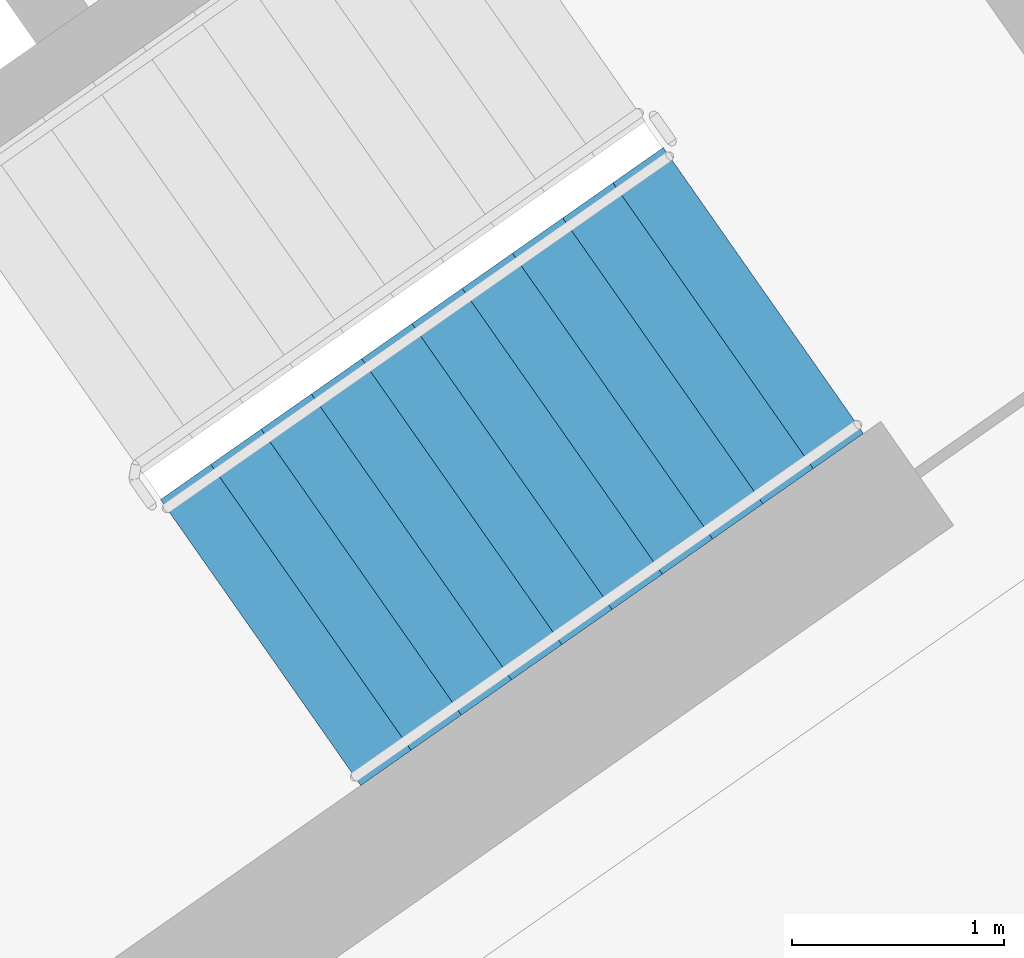
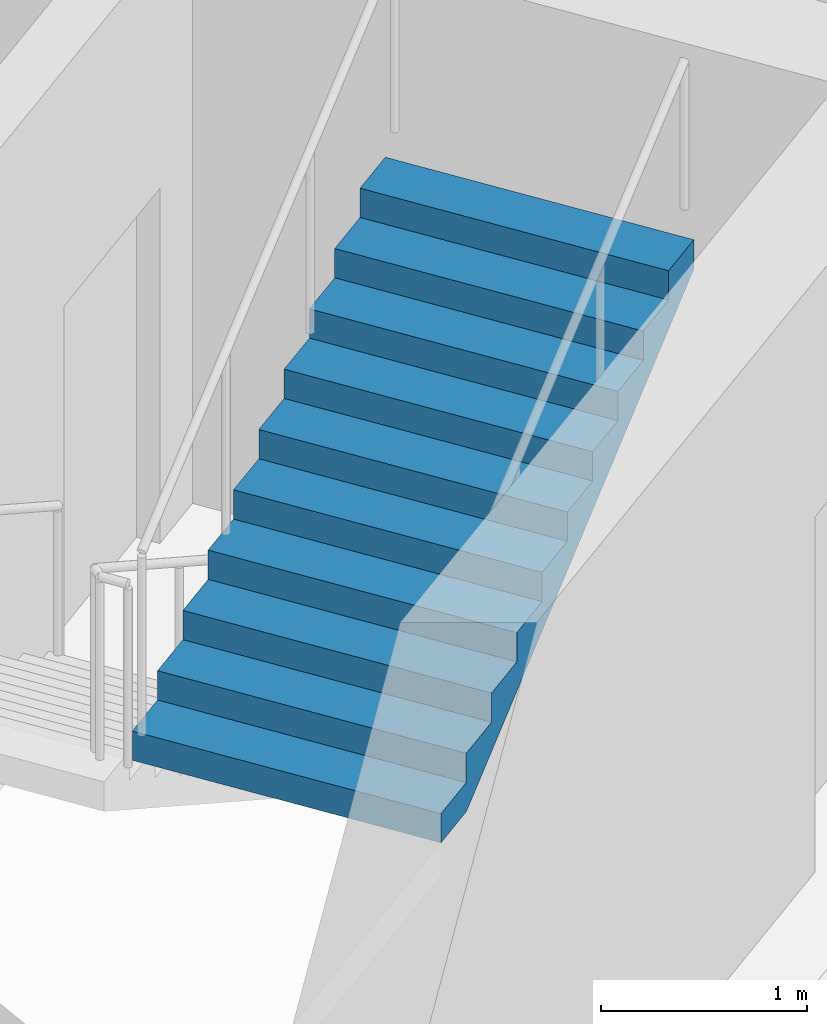
# One storey, part 14 of 26: 1 stair flight, 1 element without a shape of its own.
"""IFC4 building model written with IfcOpenShell, lengths in metres."""

import ifcopenshell
import ifcopenshell.guid

model = None  # the IFC model being written
_history = None  # IfcOwnerHistory: only IFC2X3 demands one
_inside = {}  # id of a spatial element -> (the spatial element, [elements in it])
_under = {}  # id of a project, library or spatial element -> (it, [spatial elements below it])
_declared = {}  # id of a project -> (the project, [libraries it declares])
_typed = {}  # id of a type object -> (the type object, [elements of that type])
_made_of = {}  # id of a material, layer set ... -> (it, [elements and type objects made of it])


def new_model(schema):
    """Start an empty IFC model of exactly this schema.

    Asked for "IFC4X3", IfcOpenShell would pick the latest addendum, in which some entities
    have other attributes; the version numbers below select the first issue.
    IFC2X3 requires an IfcOwnerHistory on every rooted entity: one is made here for all.
    """
    global model, _history
    if schema == "IFC4X3":
        model = ifcopenshell.file(schema_version=(4, 3, 0, 0))
    else:
        model = ifcopenshell.file(schema=schema)
    _inside.clear()
    _under.clear()
    _declared.clear()
    _typed.clear()
    _made_of.clear()
    _history = None
    if model.schema == "IFC2X3":
        org = make("IfcOrganization", Name="unknown")
        user = make(
            "IfcPersonAndOrganization",
            ThePerson=make("IfcPerson", FamilyName="unknown"),
            TheOrganization=org,
        )
        app = make(
            "IfcApplication",
            ApplicationDeveloper=org,
            Version="unknown",
            ApplicationFullName="unknown",
            ApplicationIdentifier="unknown",
        )
        _history = make(
            "IfcOwnerHistory",
            OwningUser=user,
            OwningApplication=app,
            ChangeAction="ADDED",
            CreationDate=0,
        )
    return model


def make(cls, **values):
    """One entity of the class cls with the attributes given. An attribute that is None is left unset."""
    return model.create_entity(
        cls, **{name: value for name, value in values.items() if value is not None}
    )


def rooted(cls, **values):
    """An entity with a GlobalId (a new one), such as an element, a storey or a relation."""
    return make(cls, GlobalId=ifcopenshell.guid.new(), OwnerHistory=_history, **values)


def si_unit(unit_type, name, prefix=None):
    """IfcSIUnit, for example si_unit("LENGTHUNIT", "METRE", prefix="MILLI")."""
    return make("IfcSIUnit", UnitType=unit_type, Prefix=prefix, Name=name)


def assignment(units):
    """IfcUnitAssignment: the units of a project."""
    return None if units is None else make("IfcUnitAssignment", Units=units)


def point(xyz):
    """IfcCartesianPoint."""
    return None if xyz is None else make("IfcCartesianPoint", Coordinates=xyz)


def direction(xyz):
    """IfcDirection."""
    return None if xyz is None else make("IfcDirection", DirectionRatios=xyz)


def frame(location, z_axis=None, x_axis=None):
    """IfcAxis2Placement3D, a coordinate frame: its origin and axes. An axis left out is left unset."""
    return make(
        "IfcAxis2Placement3D",
        Location=point(location),
        Axis=direction(z_axis),
        RefDirection=direction(x_axis),
    )


def origin():
    """The frame at (0, 0, 0) with its axes left unset."""
    return frame((0.0, 0.0, 0.0))


def place(relative_to, where):
    """IfcLocalPlacement: puts the frame where relative to a parent placement (None: the world)."""
    return make(
        "IfcLocalPlacement", PlacementRelTo=relative_to, RelativePlacement=where
    )


def context(
    kind, dimensions, precision=None, world=None, true_north=None, identifier=None
):
    """IfcGeometricRepresentationContext, for example the 3D "Model" context."""
    return make(
        "IfcGeometricRepresentationContext",
        ContextIdentifier=identifier,
        ContextType=kind,
        CoordinateSpaceDimension=dimensions,
        Precision=precision,
        WorldCoordinateSystem=world,
        TrueNorth=true_north,
    )


def subcontext(parent, identifier, kind, view, scale=None):
    """IfcGeometricRepresentationSubContext, for example "Body" below "Model"."""
    return make(
        "IfcGeometricRepresentationSubContext",
        ContextIdentifier=identifier,
        ContextType=kind,
        ParentContext=parent,
        TargetScale=scale,
        TargetView=view,
    )


def project(units=None, contexts=None):
    """IfcProject with its units and contexts."""
    return rooted(
        "IfcProject",
        Name="project",
        RepresentationContexts=contexts,
        UnitsInContext=assignment(units),
    )


def spatial(cls, under=None, at=None, **own):
    """A site, building, storey or space (cls), placed at a placement, below another one or the project."""
    s = rooted(cls, ObjectPlacement=at, **own)
    if under is not None:
        _under.setdefault(under.id(), (under, []))[1].append(s)
    return s


def faces_of(points, faces, orient=None, outer=None):
    """IfcFace entities. A face is a list of loops; a loop is a list of indices into points, from 0.

    orient and outer hold one flag for each loop. By default every Orientation is true, the
    first loop of a face is its IfcFaceOuterBound and the others are IfcFaceBound.
    """
    made = []
    for i, loops in enumerate(faces):
        bounds = []
        for j, loop in enumerate(loops):
            is_outer = j == 0 if outer is None else outer[i][j]
            bounds.append(
                make(
                    "IfcFaceOuterBound" if is_outer else "IfcFaceBound",
                    Bound=make("IfcPolyLoop", Polygon=[points[k] for k in loop]),
                    Orientation=True if orient is None else orient[i][j],
                )
            )
        made.append(make("IfcFace", Bounds=bounds))
    return made


def faceted_brep(points, faces, orient=None, outer=None, voids=None):
    """IfcFacetedBrep: a solid bounded by flat faces; with voids (closed shells), ...WithVoids."""
    shared = [point(p) for p in points]
    hull = make("IfcClosedShell", CfsFaces=faces_of(shared, faces, orient, outer))
    if voids is None:
        return make("IfcFacetedBrep", Outer=hull)
    return make(
        "IfcFacetedBrepWithVoids",
        Outer=hull,
        Voids=[
            make(cls, CfsFaces=faces_of(shared, fs, o, b)) for cls, fs, o, b in voids
        ],
    )


def shape(context_of_items, identifier, shape_type, items):
    """IfcShapeRepresentation: the items that make up one representation, for example the "Body"."""
    return make(
        "IfcShapeRepresentation",
        ContextOfItems=context_of_items,
        RepresentationIdentifier=identifier,
        RepresentationType=shape_type,
        Items=items,
    )


def material(Name=None, Category=None):
    """IfcMaterial."""
    return make("IfcMaterial", Name=Name, Category=Category)


def made_of(thing, what):
    """Note that an element or type object is made of a material, layer set ...; save() writes the relation."""
    if what is not None:
        _made_of.setdefault(what.id(), (what, []))[1].append(thing)
    return thing


def type_object(cls, material=None, **own):
    """A type object (cls), such as IfcWallType, which elements share."""
    return made_of(rooted(cls, **own), material)


def element(
    cls,
    number,
    at=None,
    inside=None,
    cuts=None,
    type_object=None,
    material=None,
    context=None,
    identifier="Body",
    shape_type=None,
    held_by="IfcProductDefinitionShape",
    body=None,
    shapes=None,
    **own,
):
    """One element of the class cls, such as IfcWall. Its Tag is "e" and its number.

    at: its placement. inside: the storey or other place that contains it. cuts: it is an
    opening in that element (IfcRelVoidsElement). A single representation is given by context,
    identifier, shape_type and body (its items); several are given by shapes. held_by: the class
    of the entity that holds the representations. save() writes the other relations.
    """
    e = rooted(cls, Tag="e%d" % number, ObjectPlacement=at, **own)
    if body is not None:
        shapes = [shape(context, identifier, shape_type, body)]
    if shapes is not None:
        e.Representation = make(held_by, Representations=shapes)
    if inside is not None:
        _inside.setdefault(inside.id(), (inside, []))[1].append(e)
    if cuts is not None:
        rooted(
            "IfcRelVoidsElement", RelatingBuildingElement=cuts, RelatedOpeningElement=e
        )
    if type_object is not None:
        _typed.setdefault(type_object.id(), (type_object, []))[1].append(e)
    return made_of(e, material)


def aggregate(whole, parts):
    """IfcRelAggregates: a whole, such as a stair, and the parts it consists of."""
    return rooted("IfcRelAggregates", RelatingObject=whole, RelatedObjects=parts)


def save(model, path):
    """Write the relations noted so far, then the file.

    IfcRelAggregates (storeys below a building ...), IfcRelContainedInSpatialStructure (elements
    in a storey), IfcRelDefinesByType, IfcRelAssociatesMaterial and IfcRelDeclares: one each for
    every whole, place, type object, material and project.
    """
    for whole, parts in _under.values():
        aggregate(whole, parts)
    for where, things in _inside.values():
        rooted(
            "IfcRelContainedInSpatialStructure",
            RelatedElements=things,
            RelatingStructure=where,
        )
    for kind, things in _typed.values():
        rooted("IfcRelDefinesByType", RelatedObjects=things, RelatingType=kind)
    for what, things in _made_of.values():
        rooted("IfcRelAssociatesMaterial", RelatedObjects=things, RelatingMaterial=what)
    for by, libraries in _declared.values():
        rooted("IfcRelDeclares", RelatingContext=by, RelatedDefinitions=libraries)
    model.write(path)


model = new_model("IFC4")

# Units and contexts
model_context = context("Model", 3, precision=1e-05, world=origin(), true_north=direction((0.0, 1.0)))
body_context = subcontext(model_context, "Body", "Model", "MODEL_VIEW")
ifc_project = project(units=[si_unit("LENGTHUNIT", "METRE"), si_unit("AREAUNIT", "SQUARE_METRE"), si_unit("VOLUMEUNIT", "CUBIC_METRE"), si_unit("PLANEANGLEUNIT", "RADIAN"), si_unit("MASSUNIT", "GRAM", prefix="KILO")], contexts=[model_context])

# Site, building, storey
site_placement = place(None, origin())
site = spatial("IfcSite", under=ifc_project, at=site_placement, CompositionType="ELEMENT")
building_placement = place(site_placement, origin())
building = spatial("IfcBuilding", under=site, at=building_placement, Name="Qamariyya Broadcast Tower", CompositionType="ELEMENT")
storey_placement = place(building_placement, frame((0.0, 0.0, 168.300048828125)))
storey = spatial("IfcBuildingStorey", under=building, at=storey_placement, Name="L39", CompositionType="ELEMENT", Elevation=168.300048828125)

# Stair, stair flight
ifc_material = material(Name="Concrete C50/60", Category="concrete")
stair_type = type_object("IfcStairType", Name="Exit stair 22 risers of 173 mm", PredefinedType="HALF_TURN_STAIR", material=ifc_material)
stair_placement = place(storey_placement, origin())
stair = element("IfcStair", 1, at=stair_placement, inside=storey, type_object=stair_type, Name="L39 Stair E1", PredefinedType="HALF_TURN_STAIR")
stair_flight_type = type_object("IfcStairFlightType", Name="Exit stair flight 11 risers of 173 mm", PredefinedType="STRAIGHT", material=ifc_material)
stair_flight_placement = place(storey_placement, frame((44.693359375, -58.64599609375, 1.89990234375), z_axis=(0.0, 0.0, 1.0), x_axis=(0.819152044289, 0.573576436351, 0.0)))
stair_flight = element("IfcStairFlight", 2, at=stair_flight_placement, type_object=stair_flight_type, Name="ST-E1 flight 2", NumberOfRisers=11, NumberOfTreads=10, PredefinedType="STRAIGHT", RiserHeight=0.172727273, TreadLength=0.29, context=body_context, shape_type="Brep", body=[
    faceted_brep([(0.0, 0.824951171875, 0.0), (0.0, 0.824951171875, 0.172607421875), (0.2900390625, 0.824951171875, 0.172607421875), (0.2900390625, 0.824951171875, 0.345458984375), (0.580078125, 0.824951171875, 0.345458984375), (0.580078125, 0.824951171875, 0.51806640625), (0.8701171875, 0.824951171875, 0.51806640625), (0.8701171875, 0.824951171875, 0.69091796875), (1.159912109375, 0.824951171875, 0.69091796875), (1.159912109375, 0.824951171875, 0.863525390625), (1.449951171875, 0.824951171875, 0.863525390625), (1.449951171875, 0.824951171875, 1.036376953125), (1.739990234375, 0.824951171875, 1.036376953125), (1.739990234375, 0.824951171875, 1.208984375), (2.030029296875, 0.824951171875, 1.208984375), (2.030029296875, 0.824951171875, 1.3818359375), (2.320068359375, 0.824951171875, 1.3818359375), (2.320068359375, 0.824951171875, 1.554443359375), (2.610107421875, 0.824951171875, 1.554443359375), (2.610107421875, 0.824951171875, 1.727294921875), (2.89990234375, 0.824951171875, 1.727294921875), (2.89990234375, 0.824951171875, 1.552734375), (0.29296875, 0.824951171875, 0.0), (0.29296875, -0.824951171875, 0.0), (2.89990234375, -0.824951171875, 1.552734375), (2.89990234375, -0.824951171875, 1.727294921875), (2.610107421875, -0.824951171875, 1.727294921875), (2.610107421875, -0.824951171875, 1.554443359375), (2.320068359375, -0.824951171875, 1.554443359375), (2.320068359375, -0.824951171875, 1.3818359375), (2.030029296875, -0.824951171875, 1.3818359375), (2.030029296875, -0.824951171875, 1.208984375), (1.739990234375, -0.824951171875, 1.208984375), (1.739990234375, -0.824951171875, 1.036376953125), (1.449951171875, -0.824951171875, 1.036376953125), (1.449951171875, -0.824951171875, 0.863525390625), (1.159912109375, -0.824951171875, 0.863525390625), (1.159912109375, -0.824951171875, 0.69091796875), (0.8701171875, -0.824951171875, 0.69091796875), (0.8701171875, -0.824951171875, 0.51806640625), (0.580078125, -0.824951171875, 0.51806640625), (0.580078125, -0.824951171875, 0.345458984375), (0.2900390625, -0.824951171875, 0.345458984375), (0.2900390625, -0.824951171875, 0.172607421875), (0.0, -0.824951171875, 0.172607421875), (0.0, -0.824951171875, 0.0), (0.0, 0.10009765625, 0.0), (0.0, 0.086669921875, 0.0), (0.0, 0.0732421875, 0.0), (0.0, 0.06005859375, 0.0), (0.0, 0.046630859375, 0.0), (0.0, 0.033447265625, 0.0), (0.0, 0.02001953125, 0.0), (0.0, 0.006591796875, 0.0), (0.0, -0.006591796875, 0.0), (0.0, -0.02001953125, 0.0), (0.0, -0.033447265625, 0.0), (0.0, -0.046630859375, 0.0), (0.0, -0.06005859375, 0.0), (0.0, -0.0732421875, 0.0), (0.0, -0.086669921875, 0.0), (0.0, -0.10009765625, 0.0), (0.0, -0.10009765625, 0.172607421875), (0.0, -0.086669921875, 0.172607421875), (0.0, -0.0732421875, 0.172607421875), (0.0, -0.06005859375, 0.172607421875), (0.0, -0.046630859375, 0.172607421875), (0.0, -0.033447265625, 0.172607421875), (0.0, -0.02001953125, 0.172607421875), (0.0, -0.006591796875, 0.172607421875), (0.0, 0.006591796875, 0.172607421875), (0.0, 0.02001953125, 0.172607421875), (0.0, 0.033447265625, 0.172607421875), (0.0, 0.046630859375, 0.172607421875), (0.0, 0.06005859375, 0.172607421875), (0.0, 0.0732421875, 0.172607421875), (0.0, 0.086669921875, 0.172607421875), (0.0, 0.10009765625, 0.172607421875), (0.2900390625, -0.10009765625, 0.172607421875), (0.2900390625, -0.086669921875, 0.172607421875), (0.2900390625, -0.0732421875, 0.172607421875), (0.2900390625, -0.06005859375, 0.172607421875), (0.2900390625, -0.046630859375, 0.172607421875), (0.2900390625, -0.033447265625, 0.172607421875), (0.2900390625, -0.02001953125, 0.172607421875), (0.2900390625, -0.006591796875, 0.172607421875), (0.2900390625, 0.006591796875, 0.172607421875), (0.2900390625, 0.02001953125, 0.172607421875), (0.2900390625, 0.033447265625, 0.172607421875), (0.2900390625, 0.046630859375, 0.172607421875), (0.2900390625, 0.06005859375, 0.172607421875), (0.2900390625, 0.0732421875, 0.172607421875), (0.2900390625, 0.086669921875, 0.172607421875), (0.2900390625, 0.10009765625, 0.172607421875), (0.2900390625, -0.10009765625, 0.345458984375), (0.2900390625, -0.086669921875, 0.345458984375), (0.2900390625, -0.0732421875, 0.345458984375), (0.2900390625, -0.06005859375, 0.345458984375), (0.2900390625, -0.046630859375, 0.345458984375), (0.2900390625, -0.033447265625, 0.345458984375), (0.2900390625, -0.02001953125, 0.345458984375), (0.2900390625, -0.006591796875, 0.345458984375), (0.2900390625, 0.006591796875, 0.345458984375), (0.2900390625, 0.02001953125, 0.345458984375), (0.2900390625, 0.033447265625, 0.345458984375), (0.2900390625, 0.046630859375, 0.345458984375), (0.2900390625, 0.06005859375, 0.345458984375), (0.2900390625, 0.0732421875, 0.345458984375), (0.2900390625, 0.086669921875, 0.345458984375), (0.2900390625, 0.10009765625, 0.345458984375), (0.580078125, -0.10009765625, 0.345458984375), (0.580078125, -0.086669921875, 0.345458984375), (0.580078125, -0.0732421875, 0.345458984375), (0.580078125, -0.06005859375, 0.345458984375), (0.580078125, -0.046630859375, 0.345458984375), (0.580078125, -0.033447265625, 0.345458984375), (0.580078125, -0.02001953125, 0.345458984375), (0.580078125, -0.006591796875, 0.345458984375), (0.580078125, 0.006591796875, 0.345458984375), (0.580078125, 0.02001953125, 0.345458984375), (0.580078125, 0.033447265625, 0.345458984375), (0.580078125, 0.046630859375, 0.345458984375), (0.580078125, 0.06005859375, 0.345458984375), (0.580078125, 0.0732421875, 0.345458984375), (0.580078125, 0.086669921875, 0.345458984375), (0.580078125, 0.10009765625, 0.345458984375), (0.580078125, -0.10009765625, 0.51806640625), (0.580078125, -0.086669921875, 0.51806640625), (0.580078125, -0.0732421875, 0.51806640625), (0.580078125, -0.06005859375, 0.51806640625), (0.580078125, -0.046630859375, 0.51806640625), (0.580078125, -0.033447265625, 0.51806640625), (0.580078125, -0.02001953125, 0.51806640625), (0.580078125, -0.006591796875, 0.51806640625), (0.580078125, 0.006591796875, 0.51806640625), (0.580078125, 0.02001953125, 0.51806640625), (0.580078125, 0.033447265625, 0.51806640625), (0.580078125, 0.046630859375, 0.51806640625), (0.580078125, 0.06005859375, 0.51806640625), (0.580078125, 0.0732421875, 0.51806640625), (0.580078125, 0.086669921875, 0.51806640625), (0.580078125, 0.10009765625, 0.51806640625), (0.8701171875, -0.10009765625, 0.51806640625), (0.8701171875, -0.086669921875, 0.51806640625), (0.8701171875, -0.0732421875, 0.51806640625), (0.8701171875, -0.06005859375, 0.51806640625), (0.8701171875, -0.046630859375, 0.51806640625), (0.8701171875, -0.033447265625, 0.51806640625), (0.8701171875, -0.02001953125, 0.51806640625), (0.8701171875, -0.006591796875, 0.51806640625), (0.8701171875, 0.006591796875, 0.51806640625), (0.8701171875, 0.02001953125, 0.51806640625), (0.8701171875, 0.033447265625, 0.51806640625), (0.8701171875, 0.046630859375, 0.51806640625), (0.8701171875, 0.06005859375, 0.51806640625), (0.8701171875, 0.0732421875, 0.51806640625), (0.8701171875, 0.086669921875, 0.51806640625), (0.8701171875, 0.10009765625, 0.51806640625), (0.8701171875, -0.10009765625, 0.69091796875), (0.8701171875, -0.086669921875, 0.69091796875), (0.8701171875, -0.0732421875, 0.69091796875), (0.8701171875, -0.06005859375, 0.69091796875), (0.8701171875, -0.046630859375, 0.69091796875), (0.8701171875, -0.033447265625, 0.69091796875), (0.8701171875, -0.02001953125, 0.69091796875), (0.8701171875, -0.006591796875, 0.69091796875), (0.8701171875, 0.006591796875, 0.69091796875), (0.8701171875, 0.02001953125, 0.69091796875), (0.8701171875, 0.033447265625, 0.69091796875), (0.8701171875, 0.046630859375, 0.69091796875), (0.8701171875, 0.06005859375, 0.69091796875), (0.8701171875, 0.0732421875, 0.69091796875), (0.8701171875, 0.086669921875, 0.69091796875), (0.8701171875, 0.10009765625, 0.69091796875), (1.159912109375, -0.10009765625, 0.69091796875), (1.159912109375, -0.086669921875, 0.69091796875), (1.159912109375, -0.0732421875, 0.69091796875), (1.159912109375, -0.06005859375, 0.69091796875), (1.159912109375, -0.046630859375, 0.69091796875), (1.159912109375, -0.033447265625, 0.69091796875), (1.159912109375, -0.02001953125, 0.69091796875), (1.159912109375, -0.006591796875, 0.69091796875), (1.159912109375, 0.006591796875, 0.69091796875), (1.159912109375, 0.02001953125, 0.69091796875), (1.159912109375, 0.033447265625, 0.69091796875), (1.159912109375, 0.046630859375, 0.69091796875), (1.159912109375, 0.06005859375, 0.69091796875), (1.159912109375, 0.0732421875, 0.69091796875), (1.159912109375, 0.086669921875, 0.69091796875), (1.159912109375, 0.10009765625, 0.69091796875), (1.159912109375, -0.10009765625, 0.863525390625), (1.159912109375, -0.086669921875, 0.863525390625), (1.159912109375, -0.0732421875, 0.863525390625), (1.159912109375, -0.06005859375, 0.863525390625), (1.159912109375, -0.046630859375, 0.863525390625), (1.159912109375, -0.033447265625, 0.863525390625), (1.159912109375, -0.02001953125, 0.863525390625), (1.159912109375, -0.006591796875, 0.863525390625), (1.159912109375, 0.006591796875, 0.863525390625), (1.159912109375, 0.02001953125, 0.863525390625), (1.159912109375, 0.033447265625, 0.863525390625), (1.159912109375, 0.046630859375, 0.863525390625), (1.159912109375, 0.06005859375, 0.863525390625), (1.159912109375, 0.0732421875, 0.863525390625), (1.159912109375, 0.086669921875, 0.863525390625), (1.159912109375, 0.10009765625, 0.863525390625), (1.449951171875, -0.10009765625, 0.863525390625), (1.449951171875, -0.086669921875, 0.863525390625), (1.449951171875, -0.0732421875, 0.863525390625), (1.449951171875, -0.06005859375, 0.863525390625), (1.449951171875, -0.046630859375, 0.863525390625), (1.449951171875, -0.033447265625, 0.863525390625), (1.449951171875, -0.02001953125, 0.863525390625), (1.449951171875, -0.006591796875, 0.863525390625), (1.449951171875, 0.006591796875, 0.863525390625), (1.449951171875, 0.02001953125, 0.863525390625), (1.449951171875, 0.033447265625, 0.863525390625), (1.449951171875, 0.046630859375, 0.863525390625), (1.449951171875, 0.06005859375, 0.863525390625), (1.449951171875, 0.0732421875, 0.863525390625), (1.449951171875, 0.086669921875, 0.863525390625), (1.449951171875, 0.10009765625, 0.863525390625), (1.449951171875, -0.10009765625, 1.036376953125), (1.449951171875, -0.086669921875, 1.036376953125), (1.449951171875, -0.0732421875, 1.036376953125), (1.449951171875, -0.06005859375, 1.036376953125), (1.449951171875, -0.046630859375, 1.036376953125), (1.449951171875, -0.033447265625, 1.036376953125), (1.449951171875, -0.02001953125, 1.036376953125), (1.449951171875, -0.006591796875, 1.036376953125), (1.449951171875, 0.006591796875, 1.036376953125), (1.449951171875, 0.02001953125, 1.036376953125), (1.449951171875, 0.033447265625, 1.036376953125), (1.449951171875, 0.046630859375, 1.036376953125), (1.449951171875, 0.06005859375, 1.036376953125), (1.449951171875, 0.0732421875, 1.036376953125), (1.449951171875, 0.086669921875, 1.036376953125), (1.449951171875, 0.10009765625, 1.036376953125), (1.739990234375, -0.10009765625, 1.036376953125), (1.739990234375, -0.086669921875, 1.036376953125), (1.739990234375, -0.0732421875, 1.036376953125), (1.739990234375, -0.06005859375, 1.036376953125), (1.739990234375, -0.046630859375, 1.036376953125), (1.739990234375, -0.033447265625, 1.036376953125), (1.739990234375, -0.02001953125, 1.036376953125), (1.739990234375, -0.006591796875, 1.036376953125), (1.739990234375, 0.006591796875, 1.036376953125), (1.739990234375, 0.02001953125, 1.036376953125), (1.739990234375, 0.033447265625, 1.036376953125), (1.739990234375, 0.046630859375, 1.036376953125), (1.739990234375, 0.06005859375, 1.036376953125), (1.739990234375, 0.0732421875, 1.036376953125), (1.739990234375, 0.086669921875, 1.036376953125), (1.739990234375, 0.10009765625, 1.036376953125), (1.739990234375, -0.10009765625, 1.208984375), (1.739990234375, -0.086669921875, 1.208984375), (1.739990234375, -0.0732421875, 1.208984375), (1.739990234375, -0.06005859375, 1.208984375), (1.739990234375, -0.046630859375, 1.208984375), (1.739990234375, -0.033447265625, 1.208984375), (1.739990234375, -0.02001953125, 1.208984375), (1.739990234375, -0.006591796875, 1.208984375), (1.739990234375, 0.006591796875, 1.208984375), (1.739990234375, 0.02001953125, 1.208984375), (1.739990234375, 0.033447265625, 1.208984375), (1.739990234375, 0.046630859375, 1.208984375), (1.739990234375, 0.06005859375, 1.208984375), (1.739990234375, 0.0732421875, 1.208984375), (1.739990234375, 0.086669921875, 1.208984375), (1.739990234375, 0.10009765625, 1.208984375), (2.030029296875, -0.10009765625, 1.208984375), (2.030029296875, -0.086669921875, 1.208984375), (2.030029296875, -0.0732421875, 1.208984375), (2.030029296875, -0.06005859375, 1.208984375), (2.030029296875, -0.046630859375, 1.208984375), (2.030029296875, -0.033447265625, 1.208984375), (2.030029296875, -0.02001953125, 1.208984375), (2.030029296875, -0.006591796875, 1.208984375), (2.030029296875, 0.006591796875, 1.208984375), (2.030029296875, 0.02001953125, 1.208984375), (2.030029296875, 0.033447265625, 1.208984375), (2.030029296875, 0.046630859375, 1.208984375), (2.030029296875, 0.06005859375, 1.208984375), (2.030029296875, 0.0732421875, 1.208984375), (2.030029296875, 0.086669921875, 1.208984375), (2.030029296875, 0.10009765625, 1.208984375), (2.030029296875, -0.10009765625, 1.3818359375), (2.030029296875, -0.086669921875, 1.3818359375), (2.030029296875, -0.0732421875, 1.3818359375), (2.030029296875, -0.06005859375, 1.3818359375), (2.030029296875, -0.046630859375, 1.3818359375), (2.030029296875, -0.033447265625, 1.3818359375), (2.030029296875, -0.02001953125, 1.3818359375), (2.030029296875, -0.006591796875, 1.3818359375), (2.030029296875, 0.006591796875, 1.3818359375), (2.030029296875, 0.02001953125, 1.3818359375), (2.030029296875, 0.033447265625, 1.3818359375), (2.030029296875, 0.046630859375, 1.3818359375), (2.030029296875, 0.06005859375, 1.3818359375), (2.030029296875, 0.0732421875, 1.3818359375), (2.030029296875, 0.086669921875, 1.3818359375), (2.030029296875, 0.10009765625, 1.3818359375), (2.320068359375, -0.10009765625, 1.3818359375), (2.320068359375, -0.086669921875, 1.3818359375), (2.320068359375, -0.0732421875, 1.3818359375), (2.320068359375, -0.06005859375, 1.3818359375), (2.320068359375, -0.046630859375, 1.3818359375), (2.320068359375, -0.033447265625, 1.3818359375), (2.320068359375, -0.02001953125, 1.3818359375), (2.320068359375, -0.006591796875, 1.3818359375), (2.320068359375, 0.006591796875, 1.3818359375), (2.320068359375, 0.02001953125, 1.3818359375), (2.320068359375, 0.033447265625, 1.3818359375), (2.320068359375, 0.046630859375, 1.3818359375), (2.320068359375, 0.06005859375, 1.3818359375), (2.320068359375, 0.0732421875, 1.3818359375), (2.320068359375, 0.086669921875, 1.3818359375), (2.320068359375, 0.10009765625, 1.3818359375), (2.320068359375, -0.10009765625, 1.554443359375), (2.320068359375, -0.086669921875, 1.554443359375), (2.320068359375, -0.0732421875, 1.554443359375), (2.320068359375, -0.06005859375, 1.554443359375), (2.320068359375, -0.046630859375, 1.554443359375), (2.320068359375, -0.033447265625, 1.554443359375), (2.320068359375, -0.02001953125, 1.554443359375), (2.320068359375, -0.006591796875, 1.554443359375), (2.320068359375, 0.006591796875, 1.554443359375), (2.320068359375, 0.02001953125, 1.554443359375), (2.320068359375, 0.033447265625, 1.554443359375), (2.320068359375, 0.046630859375, 1.554443359375), (2.320068359375, 0.06005859375, 1.554443359375), (2.320068359375, 0.0732421875, 1.554443359375), (2.320068359375, 0.086669921875, 1.554443359375), (2.320068359375, 0.10009765625, 1.554443359375), (2.610107421875, -0.10009765625, 1.554443359375), (2.610107421875, -0.086669921875, 1.554443359375), (2.610107421875, -0.0732421875, 1.554443359375), (2.610107421875, -0.06005859375, 1.554443359375), (2.610107421875, -0.046630859375, 1.554443359375), (2.610107421875, -0.033447265625, 1.554443359375), (2.610107421875, -0.02001953125, 1.554443359375), (2.610107421875, -0.006591796875, 1.554443359375), (2.610107421875, 0.006591796875, 1.554443359375), (2.610107421875, 0.02001953125, 1.554443359375), (2.610107421875, 0.033447265625, 1.554443359375), (2.610107421875, 0.046630859375, 1.554443359375), (2.610107421875, 0.06005859375, 1.554443359375), (2.610107421875, 0.0732421875, 1.554443359375), (2.610107421875, 0.086669921875, 1.554443359375), (2.610107421875, 0.10009765625, 1.554443359375), (2.610107421875, -0.10009765625, 1.727294921875), (2.610107421875, -0.086669921875, 1.727294921875), (2.610107421875, -0.0732421875, 1.727294921875), (2.610107421875, -0.06005859375, 1.727294921875), (2.610107421875, -0.046630859375, 1.727294921875), (2.610107421875, -0.033447265625, 1.727294921875), (2.610107421875, -0.02001953125, 1.727294921875), (2.610107421875, -0.006591796875, 1.727294921875), (2.610107421875, 0.006591796875, 1.727294921875), (2.610107421875, 0.02001953125, 1.727294921875), (2.610107421875, 0.033447265625, 1.727294921875), (2.610107421875, 0.046630859375, 1.727294921875), (2.610107421875, 0.06005859375, 1.727294921875), (2.610107421875, 0.0732421875, 1.727294921875), (2.610107421875, 0.086669921875, 1.727294921875), (2.610107421875, 0.10009765625, 1.727294921875), (2.89990234375, -0.10009765625, 1.727294921875), (2.89990234375, -0.086669921875, 1.727294921875), (2.89990234375, -0.0732421875, 1.727294921875), (2.89990234375, -0.06005859375, 1.727294921875), (2.89990234375, -0.046630859375, 1.727294921875), (2.89990234375, -0.033447265625, 1.727294921875), (2.89990234375, -0.02001953125, 1.727294921875), (2.89990234375, -0.006591796875, 1.727294921875), (2.89990234375, 0.006591796875, 1.727294921875), (2.89990234375, 0.02001953125, 1.727294921875), (2.89990234375, 0.033447265625, 1.727294921875), (2.89990234375, 0.046630859375, 1.727294921875), (2.89990234375, 0.06005859375, 1.727294921875), (2.89990234375, 0.0732421875, 1.727294921875), (2.89990234375, 0.086669921875, 1.727294921875), (2.89990234375, 0.10009765625, 1.727294921875), (2.89990234375, -0.10009765625, 1.552734375), (2.89990234375, -0.086669921875, 1.552734375), (2.89990234375, -0.0732421875, 1.552734375), (2.89990234375, -0.06005859375, 1.552734375), (2.89990234375, -0.046630859375, 1.552734375), (2.89990234375, -0.033447265625, 1.552734375), (2.89990234375, -0.02001953125, 1.552734375), (2.89990234375, -0.006591796875, 1.552734375), (2.89990234375, 0.006591796875, 1.552734375), (2.89990234375, 0.02001953125, 1.552734375), (2.89990234375, 0.033447265625, 1.552734375), (2.89990234375, 0.046630859375, 1.552734375), (2.89990234375, 0.06005859375, 1.552734375), (2.89990234375, 0.0732421875, 1.552734375), (2.89990234375, 0.086669921875, 1.552734375), (2.89990234375, 0.10009765625, 1.552734375), (0.29296875, -0.10009765625, 0.0), (0.29296875, -0.086669921875, 0.0), (0.29296875, -0.0732421875, 0.0), (0.29296875, -0.06005859375, 0.0), (0.29296875, -0.046630859375, 0.0), (0.29296875, -0.033447265625, 0.0), (0.29296875, -0.02001953125, 0.0), (0.29296875, -0.006591796875, 0.0), (0.29296875, 0.006591796875, 0.0), (0.29296875, 0.02001953125, 0.0), (0.29296875, 0.033447265625, 0.0), (0.29296875, 0.046630859375, 0.0), (0.29296875, 0.06005859375, 0.0), (0.29296875, 0.0732421875, 0.0), (0.29296875, 0.086669921875, 0.0), (0.29296875, 0.10009765625, 0.0)], [[[0, 1, 2, 3, 4, 5, 6, 7, 8, 9, 10, 11, 12, 13, 14, 15, 16, 17, 18, 19, 20, 21, 22]], [[23, 24, 25, 26, 27, 28, 29, 30, 31, 32, 33, 34, 35, 36, 37, 38, 39, 40, 41, 42, 43, 44, 45]], [[0, 46, 47, 48, 49, 50, 51, 52, 53, 54, 55, 56, 57, 58, 59, 60, 61, 45, 44, 62, 63, 64, 65, 66, 67, 68, 69, 70, 71, 72, 73, 74, 75, 76, 77, 1]], [[1, 77, 76, 75, 74, 73, 72, 71, 70, 69, 68, 67, 66, 65, 64, 63, 62, 44, 43, 78, 79, 80, 81, 82, 83, 84, 85, 86, 87, 88, 89, 90, 91, 92, 93, 2]], [[2, 93, 92, 91, 90, 89, 88, 87, 86, 85, 84, 83, 82, 81, 80, 79, 78, 43, 42, 94, 95, 96, 97, 98, 99, 100, 101, 102, 103, 104, 105, 106, 107, 108, 109, 3]], [[3, 109, 108, 107, 106, 105, 104, 103, 102, 101, 100, 99, 98, 97, 96, 95, 94, 42, 41, 110, 111, 112, 113, 114, 115, 116, 117, 118, 119, 120, 121, 122, 123, 124, 125, 4]], [[4, 125, 124, 123, 122, 121, 120, 119, 118, 117, 116, 115, 114, 113, 112, 111, 110, 41, 40, 126, 127, 128, 129, 130, 131, 132, 133, 134, 135, 136, 137, 138, 139, 140, 141, 5]], [[5, 141, 140, 139, 138, 137, 136, 135, 134, 133, 132, 131, 130, 129, 128, 127, 126, 40, 39, 142, 143, 144, 145, 146, 147, 148, 149, 150, 151, 152, 153, 154, 155, 156, 157, 6]], [[6, 157, 156, 155, 154, 153, 152, 151, 150, 149, 148, 147, 146, 145, 144, 143, 142, 39, 38, 158, 159, 160, 161, 162, 163, 164, 165, 166, 167, 168, 169, 170, 171, 172, 173, 7]], [[7, 173, 172, 171, 170, 169, 168, 167, 166, 165, 164, 163, 162, 161, 160, 159, 158, 38, 37, 174, 175, 176, 177, 178, 179, 180, 181, 182, 183, 184, 185, 186, 187, 188, 189, 8]], [[8, 189, 188, 187, 186, 185, 184, 183, 182, 181, 180, 179, 178, 177, 176, 175, 174, 37, 36, 190, 191, 192, 193, 194, 195, 196, 197, 198, 199, 200, 201, 202, 203, 204, 205, 9]], [[9, 205, 204, 203, 202, 201, 200, 199, 198, 197, 196, 195, 194, 193, 192, 191, 190, 36, 35, 206, 207, 208, 209, 210, 211, 212, 213, 214, 215, 216, 217, 218, 219, 220, 221, 10]], [[10, 221, 220, 219, 218, 217, 216, 215, 214, 213, 212, 211, 210, 209, 208, 207, 206, 35, 34, 222, 223, 224, 225, 226, 227, 228, 229, 230, 231, 232, 233, 234, 235, 236, 237, 11]], [[11, 237, 236, 235, 234, 233, 232, 231, 230, 229, 228, 227, 226, 225, 224, 223, 222, 34, 33, 238, 239, 240, 241, 242, 243, 244, 245, 246, 247, 248, 249, 250, 251, 252, 253, 12]], [[12, 253, 252, 251, 250, 249, 248, 247, 246, 245, 244, 243, 242, 241, 240, 239, 238, 33, 32, 254, 255, 256, 257, 258, 259, 260, 261, 262, 263, 264, 265, 266, 267, 268, 269, 13]], [[13, 269, 268, 267, 266, 265, 264, 263, 262, 261, 260, 259, 258, 257, 256, 255, 254, 32, 31, 270, 271, 272, 273, 274, 275, 276, 277, 278, 279, 280, 281, 282, 283, 284, 285, 14]], [[14, 285, 284, 283, 282, 281, 280, 279, 278, 277, 276, 275, 274, 273, 272, 271, 270, 31, 30, 286, 287, 288, 289, 290, 291, 292, 293, 294, 295, 296, 297, 298, 299, 300, 301, 15]], [[15, 301, 300, 299, 298, 297, 296, 295, 294, 293, 292, 291, 290, 289, 288, 287, 286, 30, 29, 302, 303, 304, 305, 306, 307, 308, 309, 310, 311, 312, 313, 314, 315, 316, 317, 16]], [[16, 317, 316, 315, 314, 313, 312, 311, 310, 309, 308, 307, 306, 305, 304, 303, 302, 29, 28, 318, 319, 320, 321, 322, 323, 324, 325, 326, 327, 328, 329, 330, 331, 332, 333, 17]], [[17, 333, 332, 331, 330, 329, 328, 327, 326, 325, 324, 323, 322, 321, 320, 319, 318, 28, 27, 334, 335, 336, 337, 338, 339, 340, 341, 342, 343, 344, 345, 346, 347, 348, 349, 18]], [[18, 349, 348, 347, 346, 345, 344, 343, 342, 341, 340, 339, 338, 337, 336, 335, 334, 27, 26, 350, 351, 352, 353, 354, 355, 356, 357, 358, 359, 360, 361, 362, 363, 364, 365, 19]], [[19, 365, 364, 363, 362, 361, 360, 359, 358, 357, 356, 355, 354, 353, 352, 351, 350, 26, 25, 366, 367, 368, 369, 370, 371, 372, 373, 374, 375, 376, 377, 378, 379, 380, 381, 20]], [[20, 381, 380, 379, 378, 377, 376, 375, 374, 373, 372, 371, 370, 369, 368, 367, 366, 25, 24, 382, 383, 384, 385, 386, 387, 388, 389, 390, 391, 392, 393, 394, 395, 396, 397, 21]], [[21, 397, 396, 395, 394, 393, 392, 391, 390, 389, 388, 387, 386, 385, 384, 383, 382, 24, 23, 398, 399, 400, 401, 402, 403, 404, 405, 406, 407, 408, 409, 410, 411, 412, 413, 22]], [[22, 413, 412, 411, 410, 409, 408, 407, 406, 405, 404, 403, 402, 401, 400, 399, 398, 23, 45, 61, 60, 59, 58, 57, 56, 55, 54, 53, 52, 51, 50, 49, 48, 47, 46, 0]]]),
])
aggregate(stair, [stair_flight])

save(model, "model.ifc")
